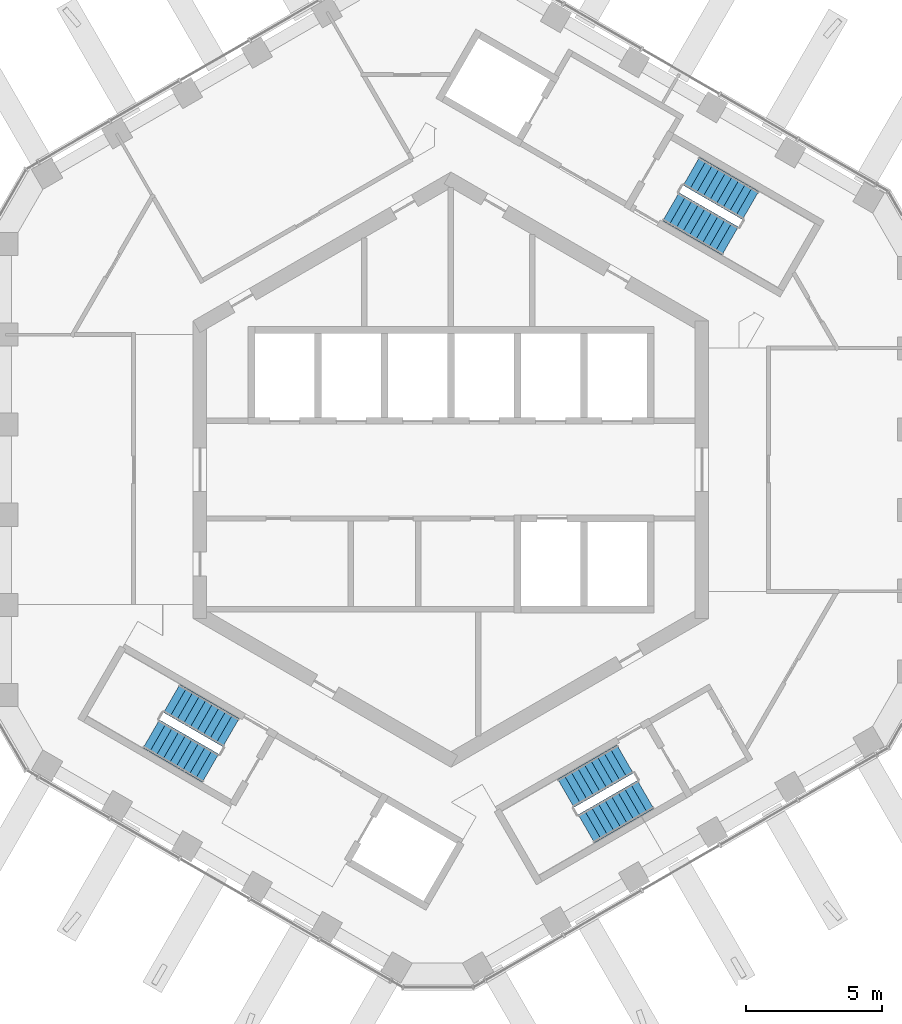
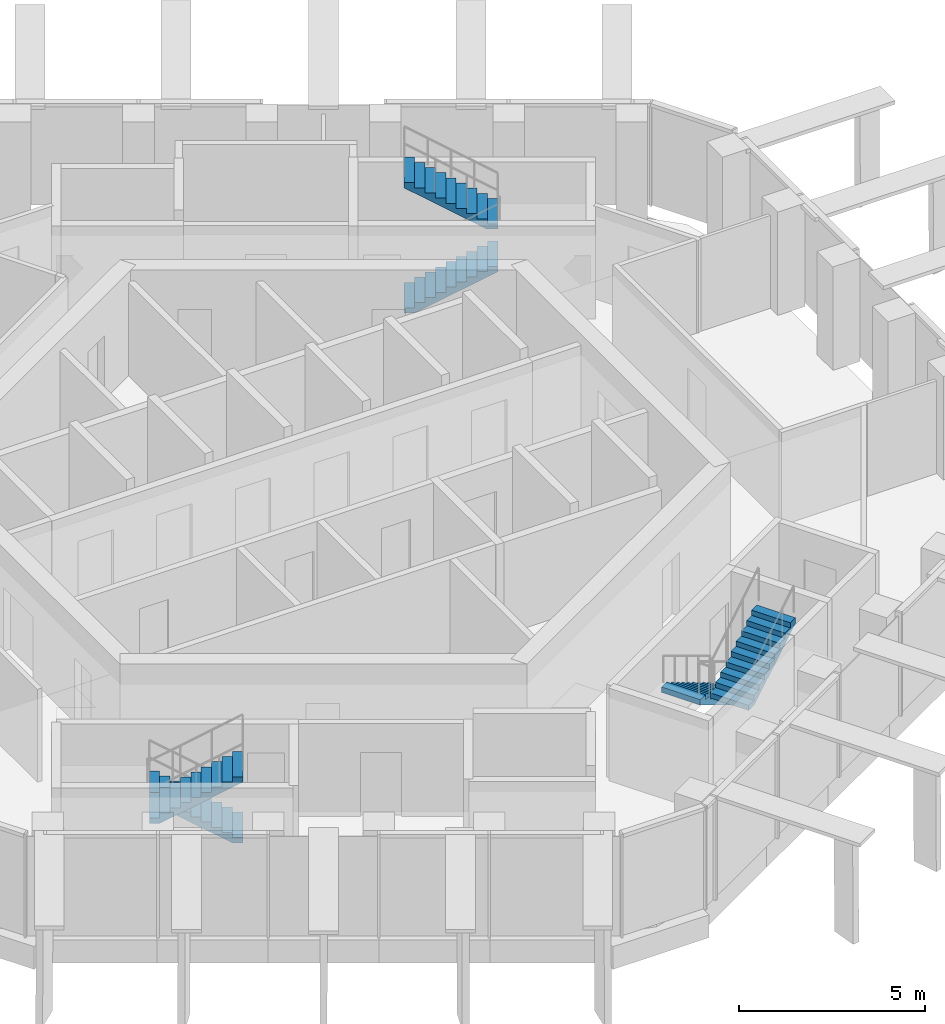
# One storey, part 14 of 17: 6 stair flights, 3 elements without a shape of their own.
"""IFC4 building model written with IfcOpenShell, lengths in metres."""

from ifc_helpers import new_model, si_unit, direction, frame, origin, place, context, subcontext, project, spatial, triangles, material, type_object, element, aggregate, save


model = new_model("IFC4")

# Units and contexts
model_context = context("Model", 3, precision=1e-05, world=origin(), true_north=direction((0.0, 1.0)))
body_context = subcontext(model_context, "Body", "Model", "MODEL_VIEW")
ifc_project = project(units=[si_unit("LENGTHUNIT", "METRE"), si_unit("AREAUNIT", "SQUARE_METRE"), si_unit("VOLUMEUNIT", "CUBIC_METRE"), si_unit("PLANEANGLEUNIT", "RADIAN"), si_unit("MASSUNIT", "GRAM", prefix="KILO")], contexts=[model_context])

# Site, building, storey
site_placement = place(None, origin())
site = spatial("IfcSite", under=ifc_project, at=site_placement, CompositionType="ELEMENT")
building_placement = place(site_placement, origin())
building = spatial("IfcBuilding", under=site, at=building_placement, Name="Ayvan Gate Tower", CompositionType="ELEMENT")
storey_placement = place(building_placement, frame((0.0, 0.0, 246.10009765625)))
storey = spatial("IfcBuildingStorey", under=building, at=storey_placement, Name="L66", CompositionType="ELEMENT", Elevation=246.10009765625)

# Stair, stair flights
ifc_material = material(Name="Concrete C40/50", Category="concrete")
stair_type = type_object("IfcStairType", Name="ST-EXIT", PredefinedType="HALF_TURN_STAIR", material=ifc_material)
stair_1_placement = place(storey_placement, origin())
stair_1 = element("IfcStair", 1, at=stair_1_placement, inside=storey, type_object=stair_type, Name="L66 Exit Stair S1", PredefinedType="HALF_TURN_STAIR")
stair_flight_type = type_object("IfcStairFlightType", Name="SFL-EXIT", PredefinedType="STRAIGHT", material=ifc_material)
stair_flight_1_placement = place(storey_placement, frame((8.106201171875, 9.690185546875, 0.0), z_axis=(0.0, 0.0, 1.0), x_axis=(0.866025403784, -0.5, 0.0)))
stair_flight_1 = element("IfcStairFlight", 2, at=stair_flight_1_placement, type_object=stair_flight_type, Name="STS1 flight 1", NumberOfRisers=10, NumberOfTreads=9, PredefinedType="STRAIGHT", RiserHeight=0.17, TreadLength=0.28, context=body_context, shape_type="Tessellation", body=[
    triangles([(0.288841, -0.599976, 0.0), (2.5205, -0.599976, 1.354936), (2.5205, -0.599976, 1.53), (2.24, -0.599976, 1.53), (2.24, -0.599976, 1.36), (1.96, -0.599976, 1.36), (1.96, -0.599976, 1.19), (1.68, -0.599976, 1.19), (1.68, -0.599976, 1.02), (1.4, -0.599976, 1.02), (1.4, -0.599976, 0.85), (1.12, -0.599976, 0.85), (1.12, -0.599976, 0.68), (0.84, -0.599976, 0.68), (0.84, -0.599976, 0.51), (0.56, -0.599976, 0.51), (0.56, -0.599976, 0.34), (0.28, -0.599976, 0.34), (0.28, -0.599976, 0.17), (-0.0005, -0.599976, 0.17), (-0.0005, -0.599976, 0.0), (0.288841, 0.0, 0.0), (2.5205, 0.0, 1.354936), (2.5205, 0.0, 1.53), (2.24, 0.0, 1.53), (2.24, 0.0, 1.36), (1.96, 0.0, 1.36), (1.96, 0.0, 1.19), (1.68, 0.0, 1.19), (1.68, 0.0, 1.02), (1.4, 0.0, 1.02), (1.4, 0.0, 0.85), (1.12, 0.0, 0.85), (1.12, 0.0, 0.68), (0.84, 0.0, 0.68), (0.84, 0.0, 0.51), (0.56, 0.0, 0.51), (0.56, 0.0, 0.34), (0.28, 0.0, 0.34), (0.28, 0.0, 0.17), (-0.0005, 0.0, 0.17), (-0.0005, 0.0, 0.0), (0.288841, 0.599976, 0.0), (2.5205, 0.599976, 1.354936), (2.5205, 0.599976, 1.53), (2.24, 0.599976, 1.53), (2.24, 0.599976, 1.36), (1.96, 0.599976, 1.36), (1.96, 0.599976, 1.19), (1.68, 0.599976, 1.19), (1.68, 0.599976, 1.02), (1.4, 0.599976, 1.02), (1.4, 0.599976, 0.85), (1.12, 0.599976, 0.85), (1.12, 0.599976, 0.68), (0.84, 0.599976, 0.68), (0.84, 0.599976, 0.51), (0.56, 0.599976, 0.51), (0.56, 0.599976, 0.34), (0.28, 0.599976, 0.34), (0.28, 0.599976, 0.17), (-0.0005, 0.599976, 0.17), (-0.0005, 0.599976, 0.0)], [[21, 1, 2], [63, 44, 43], [2, 3, 4], [44, 46, 45], [2, 4, 5], [44, 47, 46], [2, 5, 6], [44, 48, 47], [2, 6, 7], [44, 49, 48], [7, 8, 9], [49, 51, 50], [2, 7, 9], [44, 51, 49], [9, 10, 11], [51, 53, 52], [2, 9, 11], [44, 53, 51], [11, 12, 13], [53, 55, 54], [2, 11, 13], [44, 55, 53], [13, 14, 15], [55, 57, 56], [2, 13, 15], [44, 57, 55], [15, 16, 17], [57, 59, 58], [2, 15, 17], [44, 59, 57], [17, 18, 19], [59, 61, 60], [2, 17, 19], [44, 61, 59], [21, 2, 19], [63, 61, 44], [19, 20, 21], [61, 63, 62], [1, 22, 23], [1, 23, 2], [43, 23, 22], [43, 44, 23], [2, 23, 24], [2, 24, 3], [44, 24, 23], [44, 45, 24], [3, 24, 25], [3, 25, 4], [45, 25, 24], [45, 46, 25], [4, 25, 26], [4, 26, 5], [46, 26, 25], [46, 47, 26], [5, 26, 27], [5, 27, 6], [47, 27, 26], [47, 48, 27], [6, 27, 28], [6, 28, 7], [48, 28, 27], [48, 49, 28], [7, 28, 29], [7, 29, 8], [49, 29, 28], [49, 50, 29], [8, 29, 30], [8, 30, 9], [50, 30, 29], [50, 51, 30], [9, 30, 31], [9, 31, 10], [51, 31, 30], [51, 52, 31], [10, 31, 32], [10, 32, 11], [52, 32, 31], [52, 53, 32], [11, 32, 33], [11, 33, 12], [53, 33, 32], [53, 54, 33], [12, 33, 34], [12, 34, 13], [54, 34, 33], [54, 55, 34], [13, 34, 35], [13, 35, 14], [55, 35, 34], [55, 56, 35], [14, 35, 36], [14, 36, 15], [56, 36, 35], [56, 57, 36], [15, 36, 37], [15, 37, 16], [57, 37, 36], [57, 58, 37], [16, 37, 38], [16, 38, 17], [58, 38, 37], [58, 59, 38], [17, 38, 39], [17, 39, 18], [59, 39, 38], [59, 60, 39], [18, 39, 40], [18, 40, 19], [60, 40, 39], [60, 61, 40], [19, 40, 41], [19, 41, 20], [61, 41, 40], [61, 62, 41], [20, 41, 42], [20, 42, 21], [62, 42, 41], [62, 63, 42], [21, 42, 22], [21, 22, 1], [63, 22, 42], [63, 43, 22]], closed=True),
])
stair_flight_2_placement = place(storey_placement, frame((11.04345703125, 9.73779296875, 1.699951171875), z_axis=(0.0, 0.0, 1.0), x_axis=(-0.866025403784, 0.5, 0.0)))
stair_flight_2 = element("IfcStairFlight", 3, at=stair_flight_2_placement, type_object=stair_flight_type, Name="STS1 flight 2", NumberOfRisers=10, NumberOfTreads=9, PredefinedType="STRAIGHT", RiserHeight=0.17, TreadLength=0.28, context=body_context, shape_type="Tessellation", body=[
    triangles([(0.288841, -0.599976, 0.0), (2.5205, -0.599976, 1.354936), (2.5205, -0.599976, 1.53), (2.24, -0.599976, 1.53), (2.24, -0.599976, 1.36), (1.96, -0.599976, 1.36), (1.96, -0.599976, 1.19), (1.68, -0.599976, 1.19), (1.68, -0.599976, 1.02), (1.4, -0.599976, 1.02), (1.4, -0.599976, 0.85), (1.12, -0.599976, 0.85), (1.12, -0.599976, 0.68), (0.84, -0.599976, 0.68), (0.84, -0.599976, 0.51), (0.56, -0.599976, 0.51), (0.56, -0.599976, 0.34), (0.28, -0.599976, 0.34), (0.28, -0.599976, 0.17), (-0.0005, -0.599976, 0.17), (-0.0005, -0.599976, 0.0), (0.288841, 0.0, 0.0), (2.5205, 0.0, 1.354936), (2.5205, 0.0, 1.53), (2.24, 0.0, 1.53), (2.24, 0.0, 1.36), (1.96, 0.0, 1.36), (1.96, 0.0, 1.19), (1.68, 0.0, 1.19), (1.68, 0.0, 1.02), (1.4, 0.0, 1.02), (1.4, 0.0, 0.85), (1.12, 0.0, 0.85), (1.12, 0.0, 0.68), (0.84, 0.0, 0.68), (0.84, 0.0, 0.51), (0.56, 0.0, 0.51), (0.56, 0.0, 0.34), (0.28, 0.0, 0.34), (0.28, 0.0, 0.17), (-0.0005, 0.0, 0.17), (-0.0005, 0.0, 0.0), (0.288841, 0.599976, 0.0), (2.5205, 0.599976, 1.354936), (2.5205, 0.599976, 1.53), (2.24, 0.599976, 1.53), (2.24, 0.599976, 1.36), (1.96, 0.599976, 1.36), (1.96, 0.599976, 1.19), (1.68, 0.599976, 1.19), (1.68, 0.599976, 1.02), (1.4, 0.599976, 1.02), (1.4, 0.599976, 0.85), (1.12, 0.599976, 0.85), (1.12, 0.599976, 0.68), (0.84, 0.599976, 0.68), (0.84, 0.599976, 0.51), (0.56, 0.599976, 0.51), (0.56, 0.599976, 0.34), (0.28, 0.599976, 0.34), (0.28, 0.599976, 0.17), (-0.0005, 0.599976, 0.17), (-0.0005, 0.599976, 0.0)], [[21, 1, 2], [63, 44, 43], [2, 3, 4], [44, 46, 45], [2, 4, 5], [44, 47, 46], [2, 5, 6], [44, 48, 47], [2, 6, 7], [44, 49, 48], [7, 8, 9], [49, 51, 50], [2, 7, 9], [44, 51, 49], [9, 10, 11], [51, 53, 52], [2, 9, 11], [44, 53, 51], [11, 12, 13], [53, 55, 54], [2, 11, 13], [44, 55, 53], [13, 14, 15], [55, 57, 56], [2, 13, 15], [44, 57, 55], [15, 16, 17], [57, 59, 58], [2, 15, 17], [44, 59, 57], [17, 18, 19], [59, 61, 60], [2, 17, 19], [44, 61, 59], [21, 2, 19], [63, 61, 44], [19, 20, 21], [61, 63, 62], [1, 22, 23], [1, 23, 2], [43, 23, 22], [43, 44, 23], [2, 23, 24], [2, 24, 3], [44, 24, 23], [44, 45, 24], [3, 24, 25], [3, 25, 4], [45, 25, 24], [45, 46, 25], [4, 25, 26], [4, 26, 5], [46, 26, 25], [46, 47, 26], [5, 26, 27], [5, 27, 6], [47, 27, 26], [47, 48, 27], [6, 27, 28], [6, 28, 7], [48, 28, 27], [48, 49, 28], [7, 28, 29], [7, 29, 8], [49, 29, 28], [49, 50, 29], [8, 29, 30], [8, 30, 9], [50, 30, 29], [50, 51, 30], [9, 30, 31], [9, 31, 10], [51, 31, 30], [51, 52, 31], [10, 31, 32], [10, 32, 11], [52, 32, 31], [52, 53, 32], [11, 32, 33], [11, 33, 12], [53, 33, 32], [53, 54, 33], [12, 33, 34], [12, 34, 13], [54, 34, 33], [54, 55, 34], [13, 34, 35], [13, 35, 14], [55, 35, 34], [55, 56, 35], [14, 35, 36], [14, 36, 15], [56, 36, 35], [56, 57, 36], [15, 36, 37], [15, 37, 16], [57, 37, 36], [57, 58, 37], [16, 37, 38], [16, 38, 17], [58, 38, 37], [58, 59, 38], [17, 38, 39], [17, 39, 18], [59, 39, 38], [59, 60, 39], [18, 39, 40], [18, 40, 19], [60, 40, 39], [60, 61, 40], [19, 40, 41], [19, 41, 20], [61, 41, 40], [61, 62, 41], [20, 41, 42], [20, 42, 21], [62, 42, 41], [62, 63, 42], [21, 42, 22], [21, 22, 1], [63, 22, 42], [63, 43, 22]], closed=True),
])
aggregate(stair_1, [stair_flight_1, stair_flight_2])

stair_2_placement = place(storey_placement, origin())
stair_2 = element("IfcStair", 4, at=stair_2_placement, inside=storey, type_object=stair_type, Name="L66 Exit Stair S2", PredefinedType="HALF_TURN_STAIR")
stair_flight_3_placement = place(storey_placement, frame((-8.106201171875, -9.690185546875, 0.0), z_axis=(0.0, 0.0, 1.0), x_axis=(-0.866025403784, 0.5, 0.0)))
stair_flight_3 = element("IfcStairFlight", 5, at=stair_flight_3_placement, type_object=stair_flight_type, Name="STS2 flight 1", NumberOfRisers=10, NumberOfTreads=9, PredefinedType="STRAIGHT", RiserHeight=0.17, TreadLength=0.28, context=body_context, shape_type="Tessellation", body=[
    triangles([(0.288841, -0.599976, 0.0), (2.5205, -0.599976, 1.354936), (2.5205, -0.599976, 1.53), (2.24, -0.599976, 1.53), (2.24, -0.599976, 1.36), (1.96, -0.599976, 1.36), (1.96, -0.599976, 1.19), (1.68, -0.599976, 1.19), (1.68, -0.599976, 1.02), (1.4, -0.599976, 1.02), (1.4, -0.599976, 0.85), (1.12, -0.599976, 0.85), (1.12, -0.599976, 0.68), (0.84, -0.599976, 0.68), (0.84, -0.599976, 0.51), (0.56, -0.599976, 0.51), (0.56, -0.599976, 0.34), (0.28, -0.599976, 0.34), (0.28, -0.599976, 0.17), (-0.0005, -0.599976, 0.17), (-0.0005, -0.599976, 0.0), (0.288841, 0.0, 0.0), (2.5205, 0.0, 1.354936), (2.5205, 0.0, 1.53), (2.24, 0.0, 1.53), (2.24, 0.0, 1.36), (1.96, 0.0, 1.36), (1.96, 0.0, 1.19), (1.68, 0.0, 1.19), (1.68, 0.0, 1.02), (1.4, 0.0, 1.02), (1.4, 0.0, 0.85), (1.12, 0.0, 0.85), (1.12, 0.0, 0.68), (0.84, 0.0, 0.68), (0.84, 0.0, 0.51), (0.56, 0.0, 0.51), (0.56, 0.0, 0.34), (0.28, 0.0, 0.34), (0.28, 0.0, 0.17), (-0.0005, 0.0, 0.17), (-0.0005, 0.0, 0.0), (0.288841, 0.599976, 0.0), (2.5205, 0.599976, 1.354936), (2.5205, 0.599976, 1.53), (2.24, 0.599976, 1.53), (2.24, 0.599976, 1.36), (1.96, 0.599976, 1.36), (1.96, 0.599976, 1.19), (1.68, 0.599976, 1.19), (1.68, 0.599976, 1.02), (1.4, 0.599976, 1.02), (1.4, 0.599976, 0.85), (1.12, 0.599976, 0.85), (1.12, 0.599976, 0.68), (0.84, 0.599976, 0.68), (0.84, 0.599976, 0.51), (0.56, 0.599976, 0.51), (0.56, 0.599976, 0.34), (0.28, 0.599976, 0.34), (0.28, 0.599976, 0.17), (-0.0005, 0.599976, 0.17), (-0.0005, 0.599976, 0.0)], [[21, 1, 2], [63, 44, 43], [2, 3, 4], [44, 46, 45], [2, 4, 5], [44, 47, 46], [2, 5, 6], [44, 48, 47], [2, 6, 7], [44, 49, 48], [7, 8, 9], [49, 51, 50], [2, 7, 9], [44, 51, 49], [9, 10, 11], [51, 53, 52], [2, 9, 11], [44, 53, 51], [11, 12, 13], [53, 55, 54], [2, 11, 13], [44, 55, 53], [13, 14, 15], [55, 57, 56], [2, 13, 15], [44, 57, 55], [15, 16, 17], [57, 59, 58], [2, 15, 17], [44, 59, 57], [17, 18, 19], [59, 61, 60], [2, 17, 19], [44, 61, 59], [21, 2, 19], [63, 61, 44], [19, 20, 21], [61, 63, 62], [1, 22, 23], [1, 23, 2], [43, 23, 22], [43, 44, 23], [2, 23, 24], [2, 24, 3], [44, 24, 23], [44, 45, 24], [3, 24, 25], [3, 25, 4], [45, 25, 24], [45, 46, 25], [4, 25, 26], [4, 26, 5], [46, 26, 25], [46, 47, 26], [5, 26, 27], [5, 27, 6], [47, 27, 26], [47, 48, 27], [6, 27, 28], [6, 28, 7], [48, 28, 27], [48, 49, 28], [7, 28, 29], [7, 29, 8], [49, 29, 28], [49, 50, 29], [8, 29, 30], [8, 30, 9], [50, 30, 29], [50, 51, 30], [9, 30, 31], [9, 31, 10], [51, 31, 30], [51, 52, 31], [10, 31, 32], [10, 32, 11], [52, 32, 31], [52, 53, 32], [11, 32, 33], [11, 33, 12], [53, 33, 32], [53, 54, 33], [12, 33, 34], [12, 34, 13], [54, 34, 33], [54, 55, 34], [13, 34, 35], [13, 35, 14], [55, 35, 34], [55, 56, 35], [14, 35, 36], [14, 36, 15], [56, 36, 35], [56, 57, 36], [15, 36, 37], [15, 37, 16], [57, 37, 36], [57, 58, 37], [16, 37, 38], [16, 38, 17], [58, 38, 37], [58, 59, 38], [17, 38, 39], [17, 39, 18], [59, 39, 38], [59, 60, 39], [18, 39, 40], [18, 40, 19], [60, 40, 39], [60, 61, 40], [19, 40, 41], [19, 41, 20], [61, 41, 40], [61, 62, 41], [20, 41, 42], [20, 42, 21], [62, 42, 41], [62, 63, 42], [21, 42, 22], [21, 22, 1], [63, 22, 42], [63, 43, 22]], closed=True),
])
stair_flight_4_placement = place(storey_placement, frame((-11.04345703125, -9.73779296875, 1.699951171875), z_axis=(0.0, 0.0, 1.0), x_axis=(0.866025403784, -0.5, 0.0)))
stair_flight_4 = element("IfcStairFlight", 6, at=stair_flight_4_placement, type_object=stair_flight_type, Name="STS2 flight 2", NumberOfRisers=10, NumberOfTreads=9, PredefinedType="STRAIGHT", RiserHeight=0.17, TreadLength=0.28, context=body_context, shape_type="Tessellation", body=[
    triangles([(0.288841, -0.599976, 0.0), (2.5205, -0.599976, 1.354936), (2.5205, -0.599976, 1.53), (2.24, -0.599976, 1.53), (2.24, -0.599976, 1.36), (1.96, -0.599976, 1.36), (1.96, -0.599976, 1.19), (1.68, -0.599976, 1.19), (1.68, -0.599976, 1.02), (1.4, -0.599976, 1.02), (1.4, -0.599976, 0.85), (1.12, -0.599976, 0.85), (1.12, -0.599976, 0.68), (0.84, -0.599976, 0.68), (0.84, -0.599976, 0.51), (0.56, -0.599976, 0.51), (0.56, -0.599976, 0.34), (0.28, -0.599976, 0.34), (0.28, -0.599976, 0.17), (-0.0005, -0.599976, 0.17), (-0.0005, -0.599976, 0.0), (0.288841, 0.0, 0.0), (2.5205, 0.0, 1.354936), (2.5205, 0.0, 1.53), (2.24, 0.0, 1.53), (2.24, 0.0, 1.36), (1.96, 0.0, 1.36), (1.96, 0.0, 1.19), (1.68, 0.0, 1.19), (1.68, 0.0, 1.02), (1.4, 0.0, 1.02), (1.4, 0.0, 0.85), (1.12, 0.0, 0.85), (1.12, 0.0, 0.68), (0.84, 0.0, 0.68), (0.84, 0.0, 0.51), (0.56, 0.0, 0.51), (0.56, 0.0, 0.34), (0.28, 0.0, 0.34), (0.28, 0.0, 0.17), (-0.0005, 0.0, 0.17), (-0.0005, 0.0, 0.0), (0.288841, 0.599976, 0.0), (2.5205, 0.599976, 1.354936), (2.5205, 0.599976, 1.53), (2.24, 0.599976, 1.53), (2.24, 0.599976, 1.36), (1.96, 0.599976, 1.36), (1.96, 0.599976, 1.19), (1.68, 0.599976, 1.19), (1.68, 0.599976, 1.02), (1.4, 0.599976, 1.02), (1.4, 0.599976, 0.85), (1.12, 0.599976, 0.85), (1.12, 0.599976, 0.68), (0.84, 0.599976, 0.68), (0.84, 0.599976, 0.51), (0.56, 0.599976, 0.51), (0.56, 0.599976, 0.34), (0.28, 0.599976, 0.34), (0.28, 0.599976, 0.17), (-0.0005, 0.599976, 0.17), (-0.0005, 0.599976, 0.0)], [[21, 1, 2], [63, 44, 43], [2, 3, 4], [44, 46, 45], [2, 4, 5], [44, 47, 46], [2, 5, 6], [44, 48, 47], [2, 6, 7], [44, 49, 48], [7, 8, 9], [49, 51, 50], [2, 7, 9], [44, 51, 49], [9, 10, 11], [51, 53, 52], [2, 9, 11], [44, 53, 51], [11, 12, 13], [53, 55, 54], [2, 11, 13], [44, 55, 53], [13, 14, 15], [55, 57, 56], [2, 13, 15], [44, 57, 55], [15, 16, 17], [57, 59, 58], [2, 15, 17], [44, 59, 57], [17, 18, 19], [59, 61, 60], [2, 17, 19], [44, 61, 59], [21, 2, 19], [63, 61, 44], [19, 20, 21], [61, 63, 62], [1, 22, 23], [1, 23, 2], [43, 23, 22], [43, 44, 23], [2, 23, 24], [2, 24, 3], [44, 24, 23], [44, 45, 24], [3, 24, 25], [3, 25, 4], [45, 25, 24], [45, 46, 25], [4, 25, 26], [4, 26, 5], [46, 26, 25], [46, 47, 26], [5, 26, 27], [5, 27, 6], [47, 27, 26], [47, 48, 27], [6, 27, 28], [6, 28, 7], [48, 28, 27], [48, 49, 28], [7, 28, 29], [7, 29, 8], [49, 29, 28], [49, 50, 29], [8, 29, 30], [8, 30, 9], [50, 30, 29], [50, 51, 30], [9, 30, 31], [9, 31, 10], [51, 31, 30], [51, 52, 31], [10, 31, 32], [10, 32, 11], [52, 32, 31], [52, 53, 32], [11, 32, 33], [11, 33, 12], [53, 33, 32], [53, 54, 33], [12, 33, 34], [12, 34, 13], [54, 34, 33], [54, 55, 34], [13, 34, 35], [13, 35, 14], [55, 35, 34], [55, 56, 35], [14, 35, 36], [14, 36, 15], [56, 36, 35], [56, 57, 36], [15, 36, 37], [15, 37, 16], [57, 37, 36], [57, 58, 37], [16, 37, 38], [16, 38, 17], [58, 38, 37], [58, 59, 38], [17, 38, 39], [17, 39, 18], [59, 39, 38], [59, 60, 39], [18, 39, 40], [18, 40, 19], [60, 40, 39], [60, 61, 40], [19, 40, 41], [19, 41, 20], [61, 41, 40], [61, 62, 41], [20, 41, 42], [20, 42, 21], [62, 42, 41], [62, 63, 42], [21, 42, 22], [21, 22, 1], [63, 22, 42], [63, 43, 22]], closed=True),
])
aggregate(stair_2, [stair_flight_3, stair_flight_4])

stair_3_placement = place(storey_placement, origin())
stair_3 = element("IfcStair", 7, at=stair_3_placement, inside=storey, type_object=stair_type, Name="L66 Exit Stair S3", PredefinedType="HALF_TURN_STAIR")
stair_flight_5_placement = place(storey_placement, frame((6.417236328125, -10.665283203125, 0.0), z_axis=(0.0, 0.0, 1.0), x_axis=(-0.866025403784, -0.5, 0.0)))
stair_flight_5 = element("IfcStairFlight", 8, at=stair_flight_5_placement, type_object=stair_flight_type, Name="STS3 flight 1", NumberOfRisers=10, NumberOfTreads=9, PredefinedType="STRAIGHT", RiserHeight=0.17, TreadLength=0.28, context=body_context, shape_type="Tessellation", body=[
    triangles([(0.288841, -0.599976, 0.0), (2.5205, -0.599976, 1.354936), (2.5205, -0.599976, 1.53), (2.24, -0.599976, 1.53), (2.24, -0.599976, 1.36), (1.96, -0.599976, 1.36), (1.96, -0.599976, 1.19), (1.68, -0.599976, 1.19), (1.68, -0.599976, 1.02), (1.4, -0.599976, 1.02), (1.4, -0.599976, 0.85), (1.12, -0.599976, 0.85), (1.12, -0.599976, 0.68), (0.84, -0.599976, 0.68), (0.84, -0.599976, 0.51), (0.56, -0.599976, 0.51), (0.56, -0.599976, 0.34), (0.28, -0.599976, 0.34), (0.28, -0.599976, 0.17), (-0.0005, -0.599976, 0.17), (-0.0005, -0.599976, 0.0), (0.288841, 0.0, 0.0), (2.5205, 0.0, 1.354936), (2.5205, 0.0, 1.53), (2.24, 0.0, 1.53), (2.24, 0.0, 1.36), (1.96, 0.0, 1.36), (1.96, 0.0, 1.19), (1.68, 0.0, 1.19), (1.68, 0.0, 1.02), (1.4, 0.0, 1.02), (1.4, 0.0, 0.85), (1.12, 0.0, 0.85), (1.12, 0.0, 0.68), (0.84, 0.0, 0.68), (0.84, 0.0, 0.51), (0.56, 0.0, 0.51), (0.56, 0.0, 0.34), (0.28, 0.0, 0.34), (0.28, 0.0, 0.17), (-0.0005, 0.0, 0.17), (-0.0005, 0.0, 0.0), (0.288841, 0.599976, 0.0), (2.5205, 0.599976, 1.354936), (2.5205, 0.599976, 1.53), (2.24, 0.599976, 1.53), (2.24, 0.599976, 1.36), (1.96, 0.599976, 1.36), (1.96, 0.599976, 1.19), (1.68, 0.599976, 1.19), (1.68, 0.599976, 1.02), (1.4, 0.599976, 1.02), (1.4, 0.599976, 0.85), (1.12, 0.599976, 0.85), (1.12, 0.599976, 0.68), (0.84, 0.599976, 0.68), (0.84, 0.599976, 0.51), (0.56, 0.599976, 0.51), (0.56, 0.599976, 0.34), (0.28, 0.599976, 0.34), (0.28, 0.599976, 0.17), (-0.0005, 0.599976, 0.17), (-0.0005, 0.599976, 0.0)], [[21, 1, 2], [63, 44, 43], [2, 3, 4], [44, 46, 45], [2, 4, 5], [44, 47, 46], [2, 5, 6], [44, 48, 47], [2, 6, 7], [44, 49, 48], [7, 8, 9], [49, 51, 50], [2, 7, 9], [44, 51, 49], [9, 10, 11], [51, 53, 52], [2, 9, 11], [44, 53, 51], [11, 12, 13], [53, 55, 54], [2, 11, 13], [44, 55, 53], [13, 14, 15], [55, 57, 56], [2, 13, 15], [44, 57, 55], [15, 16, 17], [57, 59, 58], [2, 15, 17], [44, 59, 57], [17, 18, 19], [59, 61, 60], [2, 17, 19], [44, 61, 59], [21, 2, 19], [63, 61, 44], [19, 20, 21], [61, 63, 62], [1, 22, 23], [1, 23, 2], [43, 23, 22], [43, 44, 23], [2, 23, 24], [2, 24, 3], [44, 24, 23], [44, 45, 24], [3, 24, 25], [3, 25, 4], [45, 25, 24], [45, 46, 25], [4, 25, 26], [4, 26, 5], [46, 26, 25], [46, 47, 26], [5, 26, 27], [5, 27, 6], [47, 27, 26], [47, 48, 27], [6, 27, 28], [6, 28, 7], [48, 28, 27], [48, 49, 28], [7, 28, 29], [7, 29, 8], [49, 29, 28], [49, 50, 29], [8, 29, 30], [8, 30, 9], [50, 30, 29], [50, 51, 30], [9, 30, 31], [9, 31, 10], [51, 31, 30], [51, 52, 31], [10, 31, 32], [10, 32, 11], [52, 32, 31], [52, 53, 32], [11, 32, 33], [11, 33, 12], [53, 33, 32], [53, 54, 33], [12, 33, 34], [12, 34, 13], [54, 34, 33], [54, 55, 34], [13, 34, 35], [13, 35, 14], [55, 35, 34], [55, 56, 35], [14, 35, 36], [14, 36, 15], [56, 36, 35], [56, 57, 36], [15, 36, 37], [15, 37, 16], [57, 37, 36], [57, 58, 37], [16, 37, 38], [16, 38, 17], [58, 38, 37], [58, 59, 38], [17, 38, 39], [17, 39, 18], [59, 39, 38], [59, 60, 39], [18, 39, 40], [18, 40, 19], [60, 40, 39], [60, 61, 40], [19, 40, 41], [19, 41, 20], [61, 41, 40], [61, 62, 41], [20, 41, 42], [20, 42, 21], [62, 42, 41], [62, 63, 42], [21, 42, 22], [21, 22, 1], [63, 22, 42], [63, 43, 22]], closed=True),
])
stair_flight_6_placement = place(storey_placement, frame((4.989990234375, -13.23291015625, 1.699951171875), z_axis=(0.0, 0.0, 1.0), x_axis=(0.866025403784, 0.5, 0.0)))
stair_flight_6 = element("IfcStairFlight", 9, at=stair_flight_6_placement, type_object=stair_flight_type, Name="STS3 flight 2", NumberOfRisers=10, NumberOfTreads=9, PredefinedType="STRAIGHT", RiserHeight=0.17, TreadLength=0.28, context=body_context, shape_type="Tessellation", body=[
    triangles([(0.288841, -0.599976, 0.0), (2.5205, -0.599976, 1.354936), (2.5205, -0.599976, 1.53), (2.24, -0.599976, 1.53), (2.24, -0.599976, 1.36), (1.96, -0.599976, 1.36), (1.96, -0.599976, 1.19), (1.68, -0.599976, 1.19), (1.68, -0.599976, 1.02), (1.4, -0.599976, 1.02), (1.4, -0.599976, 0.85), (1.12, -0.599976, 0.85), (1.12, -0.599976, 0.68), (0.84, -0.599976, 0.68), (0.84, -0.599976, 0.51), (0.56, -0.599976, 0.51), (0.56, -0.599976, 0.34), (0.28, -0.599976, 0.34), (0.28, -0.599976, 0.17), (-0.0005, -0.599976, 0.17), (-0.0005, -0.599976, 0.0), (0.288841, 0.0, 0.0), (2.5205, 0.0, 1.354936), (2.5205, 0.0, 1.53), (2.24, 0.0, 1.53), (2.24, 0.0, 1.36), (1.96, 0.0, 1.36), (1.96, 0.0, 1.19), (1.68, 0.0, 1.19), (1.68, 0.0, 1.02), (1.4, 0.0, 1.02), (1.4, 0.0, 0.85), (1.12, 0.0, 0.85), (1.12, 0.0, 0.68), (0.84, 0.0, 0.68), (0.84, 0.0, 0.51), (0.56, 0.0, 0.51), (0.56, 0.0, 0.34), (0.28, 0.0, 0.34), (0.28, 0.0, 0.17), (-0.0005, 0.0, 0.17), (-0.0005, 0.0, 0.0), (0.288841, 0.599976, 0.0), (2.5205, 0.599976, 1.354936), (2.5205, 0.599976, 1.53), (2.24, 0.599976, 1.53), (2.24, 0.599976, 1.36), (1.96, 0.599976, 1.36), (1.96, 0.599976, 1.19), (1.68, 0.599976, 1.19), (1.68, 0.599976, 1.02), (1.4, 0.599976, 1.02), (1.4, 0.599976, 0.85), (1.12, 0.599976, 0.85), (1.12, 0.599976, 0.68), (0.84, 0.599976, 0.68), (0.84, 0.599976, 0.51), (0.56, 0.599976, 0.51), (0.56, 0.599976, 0.34), (0.28, 0.599976, 0.34), (0.28, 0.599976, 0.17), (-0.0005, 0.599976, 0.17), (-0.0005, 0.599976, 0.0)], [[21, 1, 2], [63, 44, 43], [2, 3, 4], [44, 46, 45], [2, 4, 5], [44, 47, 46], [2, 5, 6], [44, 48, 47], [2, 6, 7], [44, 49, 48], [7, 8, 9], [49, 51, 50], [2, 7, 9], [44, 51, 49], [9, 10, 11], [51, 53, 52], [2, 9, 11], [44, 53, 51], [11, 12, 13], [53, 55, 54], [2, 11, 13], [44, 55, 53], [13, 14, 15], [55, 57, 56], [2, 13, 15], [44, 57, 55], [15, 16, 17], [57, 59, 58], [2, 15, 17], [44, 59, 57], [17, 18, 19], [59, 61, 60], [2, 17, 19], [44, 61, 59], [21, 2, 19], [63, 61, 44], [19, 20, 21], [61, 63, 62], [1, 22, 23], [1, 23, 2], [43, 23, 22], [43, 44, 23], [2, 23, 24], [2, 24, 3], [44, 24, 23], [44, 45, 24], [3, 24, 25], [3, 25, 4], [45, 25, 24], [45, 46, 25], [4, 25, 26], [4, 26, 5], [46, 26, 25], [46, 47, 26], [5, 26, 27], [5, 27, 6], [47, 27, 26], [47, 48, 27], [6, 27, 28], [6, 28, 7], [48, 28, 27], [48, 49, 28], [7, 28, 29], [7, 29, 8], [49, 29, 28], [49, 50, 29], [8, 29, 30], [8, 30, 9], [50, 30, 29], [50, 51, 30], [9, 30, 31], [9, 31, 10], [51, 31, 30], [51, 52, 31], [10, 31, 32], [10, 32, 11], [52, 32, 31], [52, 53, 32], [11, 32, 33], [11, 33, 12], [53, 33, 32], [53, 54, 33], [12, 33, 34], [12, 34, 13], [54, 34, 33], [54, 55, 34], [13, 34, 35], [13, 35, 14], [55, 35, 34], [55, 56, 35], [14, 35, 36], [14, 36, 15], [56, 36, 35], [56, 57, 36], [15, 36, 37], [15, 37, 16], [57, 37, 36], [57, 58, 37], [16, 37, 38], [16, 38, 17], [58, 38, 37], [58, 59, 38], [17, 38, 39], [17, 39, 18], [59, 39, 38], [59, 60, 39], [18, 39, 40], [18, 40, 19], [60, 40, 39], [60, 61, 40], [19, 40, 41], [19, 41, 20], [61, 41, 40], [61, 62, 41], [20, 41, 42], [20, 42, 21], [62, 42, 41], [62, 63, 42], [21, 42, 22], [21, 22, 1], [63, 22, 42], [63, 43, 22]], closed=True),
])
aggregate(stair_3, [stair_flight_5, stair_flight_6])

save(model, "model.ifc")
